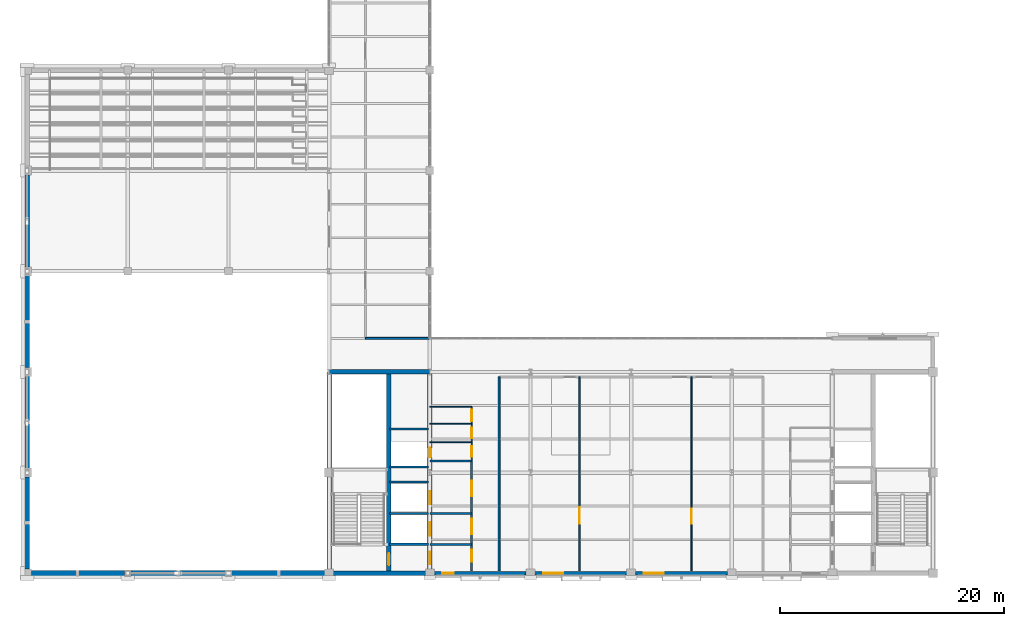
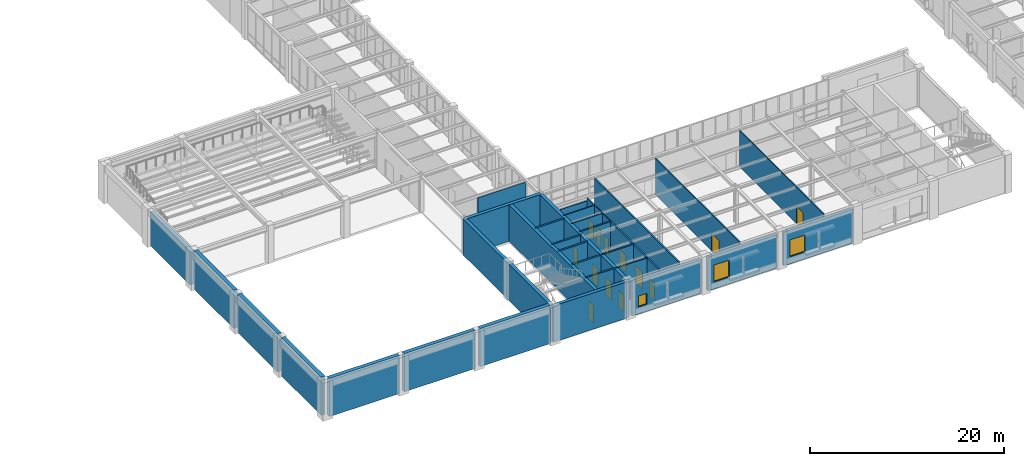
# One storey, part 79 of 98: 32 walls, 13 doors, 3 windows, 16 openings.
"""IFC4 building model written with IfcOpenShell, lengths in metres."""

from ifc_helpers import new_model, si_unit, direction, frame, frame_2d, origin, place, context, subcontext, project, spatial, rectangle, extrude, material, layer, layer_set, type_object, element, fill, save


model = new_model("IFC4")

# Units and contexts
model_context = context("Model", 3, precision=1e-05, world=origin(), true_north=direction((0.0, 1.0)))
body_context = subcontext(model_context, "Body", "Model", "MODEL_VIEW")
ifc_project = project(units=[si_unit("LENGTHUNIT", "METRE"), si_unit("AREAUNIT", "SQUARE_METRE"), si_unit("VOLUMEUNIT", "CUBIC_METRE"), si_unit("PLANEANGLEUNIT", "RADIAN"), si_unit("MASSUNIT", "GRAM", prefix="KILO")], contexts=[model_context])

# Site, building, storey
site_placement = place(None, origin())
site = spatial("IfcSite", under=ifc_project, at=site_placement, CompositionType="ELEMENT")
building_placement = place(site_placement, origin())
building = spatial("IfcBuilding", under=site, at=building_placement, Name="Lykobir Media Centre", CompositionType="ELEMENT")
storey_placement = place(building_placement, frame((0.0, 0.0, 10.199951171875)))
storey = spatial("IfcBuildingStorey", under=building, at=storey_placement, Name="L02", CompositionType="ELEMENT", Elevation=10.199951171875)

# Walls
ifc_material_1 = material(Name="Concrete C35/45", Category="concrete")
ifc_layer_1 = layer(ifc_material_1, 0.4599609375, Name="Concrete C35/45")
ifc_layer_set_1 = layer_set([ifc_layer_1], Name="Concrete C35/45")
wall_type_1 = type_object("IfcWallType", Name="EW-ACO-460", PredefinedType="STANDARD", material=ifc_layer_set_1)
wall_1_placement = place(storey_placement, frame((0.0, 35.614990234375, 0.0), z_axis=(0.0, 0.0, 1.0), x_axis=(0.0, -1.0, 0.0)))
element("IfcWall", 1, at=wall_1_placement, inside=storey, type_object=wall_type_1, Name="Exterior wall WALL-L02-0187", PredefinedType="STANDARD", context=body_context, shape_type="SweptSolid", body=[
    extrude(rectangle(XDim=8.22998046875, YDim=0.4599609375, at=frame_2d((4.114990234375, 0.0))), origin(), (0.0, 0.0, 1.0), 4.235107421875),
])
for number, where, z_axis, x_axis, name in (
    (2, (0.0, 8.614990234375, 0.0), (0.0, 0.0, 1.0), (0.0, -1.0, 0.0), "Exterior wall WALL-L02-0189"),
    (3, (0.0, 17.614990234375, 0.0), (0.0, 0.0, 1.0), (0.0, -1.0, 0.0), "Exterior wall WALL-L02-0190"),
    (4, (0.0, 26.614990234375, 0.0), (0.0, 0.0, 1.0), (0.0, -1.0, 0.0), "Exterior wall WALL-L02-0191"),
):
    element("IfcWall", number, at=place(storey_placement, frame(where, z_axis=z_axis, x_axis=x_axis)), inside=storey, type_object=wall_type_1, Name=name, PredefinedType="STANDARD", context=body_context, shape_type="SweptSolid", body=[
        extrude(rectangle(XDim=8.22998046875, YDim=0.4599609375, at=frame_2d((4.114990234375, 0.0))), origin(), (0.0, 0.0, 1.0), 4.800048828125),
    ])
wall_2_placement = place(storey_placement, frame((0.385009765625, 0.0, 0.0), z_axis=(0.0, 0.0, 1.0), x_axis=(1.0, 0.0, 0.0)))
element("IfcWall", 5, at=wall_2_placement, inside=storey, type_object=wall_type_1, Name="Exterior wall WALL-L02-0192", PredefinedType="STANDARD", context=body_context, shape_type="SweptSolid", body=[
    extrude(rectangle(XDim=8.330078125, YDim=0.4599609375, at=frame_2d((4.1650390625, 0.0))), origin(), (0.0, 0.0, 1.0), 4.800048828125),
])
wall_3_placement = place(storey_placement, frame((9.284912109375, 0.0, 0.0), z_axis=(0.0, 0.0, 1.0), x_axis=(1.0, 0.0, 0.0)))
element("IfcWall", 6, at=wall_3_placement, inside=storey, type_object=wall_type_1, Name="Exterior wall WALL-L02-0193", PredefinedType="STANDARD", context=body_context, shape_type="SweptSolid", body=[
    extrude(rectangle(XDim=8.43017578125, YDim=0.4599609375, at=frame_2d((4.215087890625, 0.0))), origin(), (0.0, 0.0, 1.0), 4.800048828125),
])
wall_4_placement = place(storey_placement, frame((18.284912109375, 0.0, 0.0), z_axis=(0.0, 0.0, 1.0), x_axis=(1.0, 0.0, 0.0)))
element("IfcWall", 7, at=wall_4_placement, inside=storey, type_object=wall_type_1, Name="Exterior wall WALL-L02-0194", PredefinedType="STANDARD", context=body_context, shape_type="SweptSolid", body=[
    extrude(rectangle(XDim=8.330078125, YDim=0.4599609375, at=frame_2d((4.1650390625, 0.0))), origin(), (0.0, 0.0, 1.0), 4.800048828125),
])

# Wall, opening, window
ifc_material_2 = material(Name="Architectural Ochre Brick", Category="masonry")
ifc_layer_2 = layer(ifc_material_2, 0.330078125, Name="Architectural Ochre Brick")
ifc_layer_set_2 = layer_set([ifc_layer_2], Name="Architectural Ochre Brick")
wall_type_2 = type_object("IfcWallType", Name="EW-BRK-330", PredefinedType="STANDARD", material=ifc_layer_set_2)
wall_5_placement = place(storey_placement, frame((36.385009765625, 0.0, 0.0), z_axis=(0.0, 0.0, 1.0), x_axis=(1.0, 0.0, 0.0)))
wall_5 = element("IfcWall", 8, at=wall_5_placement, inside=storey, type_object=wall_type_2, Name="Exterior wall WALL-L02-0173", PredefinedType="STANDARD", context=body_context, shape_type="SweptSolid", body=[
    extrude(rectangle(XDim=8.22998046875, YDim=0.330078125, at=frame_2d((4.114990234375, 0.0))), origin(), (0.0, 0.0, 1.0), 4.235107421875),
])
opening_1_placement = place(wall_5_placement, frame((0.75, 0.0, 0.89990234375)))
opening_1 = element("IfcOpeningElement", 9, at=opening_1_placement, cuts=wall_5, Name="Opening WN-1000x1350", PredefinedType="OPENING", context=body_context, shape_type="SweptSolid", body=[
    extrude(rectangle(XDim=1.0, YDim=1.35009765625, at=frame_2d((0.5, 0.675048828125))), frame((0.0, 0.175048828125, 0.0), z_axis=(0.0, -1.0, 0.0), x_axis=(1.0, 0.0, 0.0)), (0.0, 0.0, 1.0), 0.35009765625),
])
ifc_material_3 = material(Name="Low-E Laminated Triple Glazing", Category="glass")
window_type_1 = type_object("IfcWindowType", Name="WN-1000x1350", PartitioningType="SINGLE_PANEL", PredefinedType="WINDOW", material=ifc_material_3)
window_1_placement = place(opening_1_placement, origin())
window_1 = element("IfcWindow", 10, at=window_1_placement, inside=storey, type_object=window_type_1, Name="Window WIN-L02-0048", OverallHeight=1.35009765625, OverallWidth=1.0, PartitioningType="SINGLE_PANEL", PredefinedType="WINDOW", context=body_context, shape_type="SweptSolid", body=[
    extrude(rectangle(XDim=1.0, YDim=1.35009765625, at=frame_2d((0.5, 0.675048828125))), frame((0.0, 0.030029296875, 0.0), z_axis=(0.0, -1.0, 0.0), x_axis=(1.0, 0.0, 0.0)), (0.0, 0.0, 1.0), 0.06005859375),
])
fill(opening_1, window_1)

wall_6_placement = place(storey_placement, frame((45.385009765625, 0.0, 0.0), z_axis=(0.0, 0.0, 1.0), x_axis=(1.0, 0.0, 0.0)))
wall_6 = element("IfcWall", 11, at=wall_6_placement, inside=storey, type_object=wall_type_2, Name="Exterior wall WALL-L02-0174", PredefinedType="STANDARD", context=body_context, shape_type="SweptSolid", body=[
    extrude(rectangle(XDim=8.22998046875, YDim=0.330078125, at=frame_2d((4.114990234375, 0.0))), origin(), (0.0, 0.0, 1.0), 4.235107421875),
])
opening_2_placement = place(wall_6_placement, frame((0.75, 0.0, 0.89990234375)))
opening_2 = element("IfcOpeningElement", 12, at=opening_2_placement, cuts=wall_6, Name="Opening WN-1800x2100", PredefinedType="OPENING", context=body_context, shape_type="SweptSolid", body=[
    extrude(rectangle(XDim=1.800048828125, YDim=2.10009765625, at=frame_2d((0.89990234375, 1.050048828125))), frame((0.0, 0.175048828125, 0.0), z_axis=(0.0, -1.0, 0.0), x_axis=(1.0, 0.0, 0.0)), (0.0, 0.0, 1.0), 0.35009765625),
])
window_type_2 = type_object("IfcWindowType", Name="WN-1800x2100", PartitioningType="SINGLE_PANEL", PredefinedType="WINDOW", material=ifc_material_3)
window_2_placement = place(opening_2_placement, origin())
window_2 = element("IfcWindow", 13, at=window_2_placement, inside=storey, type_object=window_type_2, Name="Window WIN-L02-0049", OverallHeight=2.10009765625, OverallWidth=1.800048828125, PartitioningType="SINGLE_PANEL", PredefinedType="WINDOW", context=body_context, shape_type="SweptSolid", body=[
    extrude(rectangle(XDim=1.800048828125, YDim=2.10009765625, at=frame_2d((0.89990234375, 1.050048828125))), frame((0.0, 0.030029296875, 0.0), z_axis=(0.0, -1.0, 0.0), x_axis=(1.0, 0.0, 0.0)), (0.0, 0.0, 1.0), 0.06005859375),
])
fill(opening_2, window_2)

wall_7_placement = place(storey_placement, frame((54.385009765625, 0.0, 0.0), z_axis=(0.0, 0.0, 1.0), x_axis=(1.0, 0.0, 0.0)))
wall_7 = element("IfcWall", 14, at=wall_7_placement, inside=storey, type_object=wall_type_2, Name="Exterior wall WALL-L02-0175", PredefinedType="STANDARD", context=body_context, shape_type="SweptSolid", body=[
    extrude(rectangle(XDim=8.22998046875, YDim=0.330078125, at=frame_2d((4.114990234375, 0.0))), origin(), (0.0, 0.0, 1.0), 4.235107421875),
])
opening_3_placement = place(wall_7_placement, frame((0.75, 0.0, 0.89990234375)))
opening_3 = element("IfcOpeningElement", 15, at=opening_3_placement, cuts=wall_7, Name="Opening WN-1800x2100", PredefinedType="OPENING", context=body_context, shape_type="SweptSolid", body=[
    extrude(rectangle(XDim=1.800048828125, YDim=2.10009765625, at=frame_2d((0.89990234375, 1.050048828125))), frame((0.0, 0.175048828125, 0.0), z_axis=(0.0, -1.0, 0.0), x_axis=(1.0, 0.0, 0.0)), (0.0, 0.0, 1.0), 0.35009765625),
])
window_3_placement = place(opening_3_placement, origin())
window_3 = element("IfcWindow", 16, at=window_3_placement, inside=storey, type_object=window_type_2, Name="Window WIN-L02-0050", OverallHeight=2.10009765625, OverallWidth=1.800048828125, PartitioningType="SINGLE_PANEL", PredefinedType="WINDOW", context=body_context, shape_type="SweptSolid", body=[
    extrude(rectangle(XDim=1.800048828125, YDim=2.10009765625, at=frame_2d((0.89990234375, 1.050048828125))), frame((0.0, 0.030029296875, 0.0), z_axis=(0.0, -1.0, 0.0), x_axis=(1.0, 0.0, 0.0)), (0.0, 0.0, 1.0), 0.06005859375),
])
fill(opening_3, window_3)

# Walls
ifc_material_4 = material(Name="Acoustic Gypsum Board", Category="gypsum")
ifc_layer_3 = layer(ifc_material_4, 0.159912109375, Name="Acoustic Gypsum Board")
ifc_layer_set_3 = layer_set([ifc_layer_3], Name="Acoustic Gypsum Board")
wall_type_3 = type_object("IfcWallType", Name="IW-COR-160", PredefinedType="PARTITIONING", material=ifc_layer_set_3)
wall_8_placement = place(storey_placement, frame((42.199951171875, 0.219970703125, 0.0), z_axis=(0.0, 0.0, 1.0), x_axis=(0.0, 1.0, 0.0)))
element("IfcWall", 17, at=wall_8_placement, inside=storey, type_object=wall_type_3, Name="Wall IWALL-L02-0697", PredefinedType="PARTITIONING", context=body_context, shape_type="SweptSolid", body=[
    extrude(rectangle(XDim=17.330078125, YDim=0.159912109375, at=frame_2d((8.6650390625, 0.0))), origin(), (0.0, 0.0, 1.0), 4.56005859375),
])
wall_9_placement = place(storey_placement, frame((30.25, 21.0, 0.0), z_axis=(0.0, 0.0, 1.0), x_axis=(1.0, 0.0, 0.0)))
element("IfcWall", 18, at=wall_9_placement, inside=storey, type_object=wall_type_3, Name="Wall IWALL-L02-0702", PredefinedType="PARTITIONING", context=body_context, shape_type="SweptSolid", body=[
    extrude(rectangle(XDim=5.72998046875, YDim=0.159912109375, at=frame_2d((2.864990234375, 0.0))), origin(), (0.0, 0.0, 1.0), 4.215087890625),
])

# Wall, openings, doors
ifc_layer_4 = layer(ifc_material_4, 0.179931640625, Name="Acoustic Gypsum Board")
ifc_layer_set_4 = layer_set([ifc_layer_4], Name="Acoustic Gypsum Board")
wall_type_4 = type_object("IfcWallType", Name="IW-FFLOB-180", PredefinedType="PARTITIONING", material=ifc_layer_set_4)
wall_10_placement = place(storey_placement, frame((39.75, 0.219970703125, 0.0), z_axis=(0.0, 0.0, 1.0), x_axis=(0.0, 1.0, 0.0)))
wall_10 = element("IfcWall", 19, at=wall_10_placement, inside=storey, type_object=wall_type_4, Name="Wall IWALL-L02-0065", PredefinedType="PARTITIONING", context=body_context, shape_type="SweptSolid", body=[
    extrude(rectangle(XDim=9.830078125, YDim=0.179931640625, at=frame_2d((4.9150390625, 0.0))), origin(), (0.0, 0.0, 1.0), 4.56005859375),
])
opening_4_placement = place(wall_10_placement, frame((0.800048828125, 0.0, 0.0)))
opening_4 = element("IfcOpeningElement", 20, at=opening_4_placement, cuts=wall_10, Name="Opening D-L02-C1LV", PredefinedType="OPENING", context=body_context, shape_type="SweptSolid", body=[
    extrude(rectangle(XDim=1.10009765625, YDim=2.159912109375, at=frame_2d((0.550048828125, 1.080078125))), frame((0.0, 0.099853515625, 0.0), z_axis=(0.0, -1.0, 0.0), x_axis=(1.0, 0.0, 0.0)), (0.0, 0.0, 1.0), 0.199951171875),
])
opening_5_placement = place(wall_10_placement, frame((3.25, 0.0, 0.0)))
opening_5 = element("IfcOpeningElement", 21, at=opening_5_placement, cuts=wall_10, Name="Opening D-L02-C1PL", PredefinedType="OPENING", context=body_context, shape_type="SweptSolid", body=[
    extrude(rectangle(XDim=1.39990234375, YDim=2.199951171875, at=frame_2d((0.699951171875, 1.10009765625))), frame((0.0, 0.099853515625, 0.0), z_axis=(0.0, -1.0, 0.0), x_axis=(1.0, 0.0, 0.0)), (0.0, 0.0, 1.0), 0.199951171875),
])
opening_6_placement = place(wall_10_placement, frame((6.64990234375, 0.0, 0.0)))
opening_6 = element("IfcOpeningElement", 22, at=opening_6_placement, cuts=wall_10, Name="Opening D-L02-C1FF", PredefinedType="OPENING", context=body_context, shape_type="SweptSolid", body=[
    extrude(rectangle(XDim=1.39990234375, YDim=2.199951171875, at=frame_2d((0.699951171875, 1.10009765625))), frame((0.0, 0.099853515625, 0.0), z_axis=(0.0, -1.0, 0.0), x_axis=(1.0, 0.0, 0.0)), (0.0, 0.0, 1.0), 0.199951171875),
])
ifc_material_5 = material(Name="Acoustic Timber Panelling", Category="wood")
door_type_1 = type_object("IfcDoorType", Name="FD-1100x2160", OperationType="NOTDEFINED", PredefinedType="DOOR", material=ifc_material_5)
door_1_placement = place(opening_4_placement, origin())
door_1 = element("IfcDoor", 23, at=door_1_placement, inside=storey, type_object=door_type_1, Name="Door D-L02-C1LV", OperationType="SINGLE_SWING_LEFT", OverallHeight=2.159912109375, OverallWidth=1.10009765625, PredefinedType="DOOR", context=body_context, shape_type="SweptSolid", body=[
    extrude(rectangle(XDim=1.10009765625, YDim=2.159912109375, at=frame_2d((0.550048828125, 1.080078125))), frame((0.0, 0.02490234375, 0.0), z_axis=(0.0, -1.0, 0.0), x_axis=(1.0, 0.0, 0.0)), (0.0, 0.0, 1.0), 0.050048828125),
])
fill(opening_4, door_1)
door_type_2 = type_object("IfcDoorType", Name="FD-1400x2200", OperationType="NOTDEFINED", PredefinedType="DOOR", material=ifc_material_5)
door_2_placement = place(opening_5_placement, origin())
door_2 = element("IfcDoor", 24, at=door_2_placement, inside=storey, type_object=door_type_2, Name="Door D-L02-C1PL", OperationType="DOUBLE_DOOR_SINGLE_SWING", OverallHeight=2.199951171875, OverallWidth=1.39990234375, PredefinedType="DOOR", context=body_context, shape_type="SweptSolid", body=[
    extrude(rectangle(XDim=1.39990234375, YDim=2.199951171875, at=frame_2d((0.699951171875, 1.10009765625))), frame((0.0, 0.02490234375, 0.0), z_axis=(0.0, -1.0, 0.0), x_axis=(1.0, 0.0, 0.0)), (0.0, 0.0, 1.0), 0.050048828125),
])
fill(opening_5, door_2)
door_3_placement = place(opening_6_placement, origin())
door_3 = element("IfcDoor", 25, at=door_3_placement, inside=storey, type_object=door_type_2, Name="Door D-L02-C1FF", OperationType="DOUBLE_DOOR_SINGLE_SWING", OverallHeight=2.199951171875, OverallWidth=1.39990234375, PredefinedType="DOOR", context=body_context, shape_type="SweptSolid", body=[
    extrude(rectangle(XDim=1.39990234375, YDim=2.199951171875, at=frame_2d((0.699951171875, 1.10009765625))), frame((0.0, 0.02490234375, 0.0), z_axis=(0.0, -1.0, 0.0), x_axis=(1.0, 0.0, 0.0)), (0.0, 0.0, 1.0), 0.050048828125),
])
fill(opening_6, door_3)

# Walls
for number, where, z_axis, x_axis, name in (
    (26, (36.0, 2.550048828125, 0.0), (0.0, 0.0, 1.0), (1.0, 0.0, 0.0), "Wall IWALL-L02-0066"),
    (27, (36.0, 5.35009765625, 0.0), (0.0, 0.0, 1.0), (1.0, 0.0, 0.0), "Wall IWALL-L02-0067"),
    (28, (36.0, 10.050048828125, 0.0), (0.0, 0.0, 1.0), (1.0, 0.0, 0.0), "Wall IWALL-L02-0068"),
):
    element("IfcWall", number, at=place(storey_placement, frame(where, z_axis=z_axis, x_axis=x_axis)), inside=storey, type_object=wall_type_4, Name=name, PredefinedType="PARTITIONING", context=body_context, shape_type="SweptSolid", body=[
        extrude(rectangle(XDim=3.75, YDim=0.179931640625, at=frame_2d((1.875, 0.0))), origin(), (0.0, 0.0, 1.0), 4.56005859375),
    ])

# Wall, opening, door
ifc_layer_5 = layer(ifc_material_4, 0.110107421875, Name="Acoustic Gypsum Board")
ifc_layer_set_5 = layer_set([ifc_layer_5], Name="Acoustic Gypsum Board")
wall_type_5 = type_object("IfcWallType", Name="IW-RM-110", PredefinedType="PARTITIONING", material=ifc_layer_set_5)
wall_11_placement = place(storey_placement, frame((59.39990234375, 0.219970703125, 0.0), z_axis=(0.0, 0.0, 1.0), x_axis=(0.0, 1.0, 0.0)))
wall_11 = element("IfcWall", 29, at=wall_11_placement, inside=storey, type_object=wall_type_5, Name="Wall IWALL-L02-0700", PredefinedType="PARTITIONING", context=body_context, shape_type="SweptSolid", body=[
    extrude(rectangle(XDim=17.330078125, YDim=0.110107421875, at=frame_2d((8.6650390625, 0.0))), origin(), (0.0, 0.0, 1.0), 4.56005859375),
])
opening_7_placement = place(wall_11_placement, frame((4.199951171875, 0.0, 0.0)))
opening_7 = element("IfcOpeningElement", 30, at=opening_7_placement, cuts=wall_11, Name="Opening D-L02-V7S2", PredefinedType="OPENING", context=body_context, shape_type="SweptSolid", body=[
    extrude(rectangle(XDim=1.35009765625, YDim=2.179931640625, at=frame_2d((0.675048828125, 1.08984375))), frame((0.0, 0.06494140625, 0.0), z_axis=(0.0, -1.0, 0.0), x_axis=(1.0, 0.0, 0.0)), (0.0, 0.0, 1.0), 0.130126953125),
])
door_type_3 = type_object("IfcDoorType", Name="ID-1350x2180", OperationType="NOTDEFINED", PredefinedType="DOOR", material=ifc_material_5)
door_4_placement = place(opening_7_placement, origin())
door_4 = element("IfcDoor", 31, at=door_4_placement, inside=storey, type_object=door_type_3, Name="Door D-L02-V7S2", OperationType="SINGLE_SWING_LEFT", OverallHeight=2.179931640625, OverallWidth=1.35009765625, PredefinedType="DOOR", context=body_context, shape_type="SweptSolid", body=[
    extrude(rectangle(XDim=1.35009765625, YDim=2.179931640625, at=frame_2d((0.675048828125, 1.08984375))), frame((0.0, 0.02490234375, 0.0), z_axis=(0.0, -1.0, 0.0), x_axis=(1.0, 0.0, 0.0)), (0.0, 0.0, 1.0), 0.050048828125),
])
fill(opening_7, door_4)

ifc_layer_6 = layer(ifc_material_4, 0.125, Name="Acoustic Gypsum Board")
ifc_layer_set_6 = layer_set([ifc_layer_6], Name="Acoustic Gypsum Board")
wall_type_6 = type_object("IfcWallType", Name="IW-RM-125", PredefinedType="PARTITIONING", material=ifc_layer_set_6)
wall_12_placement = place(storey_placement, frame((49.39990234375, 0.219970703125, 0.0), z_axis=(0.0, 0.0, 1.0), x_axis=(0.0, 1.0, 0.0)))
wall_12 = element("IfcWall", 32, at=wall_12_placement, inside=storey, type_object=wall_type_6, Name="Wall IWALL-L02-0699", PredefinedType="PARTITIONING", context=body_context, shape_type="SweptSolid", body=[
    extrude(rectangle(XDim=17.330078125, YDim=0.125, at=frame_2d((8.6650390625, 0.0))), origin(), (0.0, 0.0, 1.0), 4.56005859375),
])
opening_8_placement = place(wall_12_placement, frame((4.199951171875, 0.0, 0.0)))
opening_8 = element("IfcOpeningElement", 33, at=opening_8_placement, cuts=wall_12, Name="Opening D-L02-V7S1", PredefinedType="OPENING", context=body_context, shape_type="SweptSolid", body=[
    extrude(rectangle(XDim=1.5, YDim=2.199951171875, at=frame_2d((0.75, 1.10009765625))), frame((0.0, 0.072509765625, 0.0), z_axis=(0.0, -1.0, 0.0), x_axis=(1.0, 0.0, 0.0)), (0.0, 0.0, 1.0), 0.14501953125),
])
door_type_4 = type_object("IfcDoorType", Name="ID-1500x2200", OperationType="NOTDEFINED", PredefinedType="DOOR", material=ifc_material_5)
door_5_placement = place(opening_8_placement, origin())
door_5 = element("IfcDoor", 34, at=door_5_placement, inside=storey, type_object=door_type_4, Name="Door D-L02-V7S1", OperationType="SINGLE_SWING_LEFT", OverallHeight=2.199951171875, OverallWidth=1.5, PredefinedType="DOOR", context=body_context, shape_type="SweptSolid", body=[
    extrude(rectangle(XDim=1.5, YDim=2.199951171875, at=frame_2d((0.75, 1.10009765625))), frame((0.0, 0.02490234375, 0.0), z_axis=(0.0, -1.0, 0.0), x_axis=(1.0, 0.0, 0.0)), (0.0, 0.0, 1.0), 0.050048828125),
])
fill(opening_8, door_5)

# Walls
ifc_material_6 = material(Name="Concrete C30/37", Category="concrete")
ifc_layer_7 = layer(ifc_material_6, 0.199951171875, Name="Concrete C30/37")
ifc_layer_set_7 = layer_set([ifc_layer_7], Name="Concrete C30/37")
wall_type_7 = type_object("IfcWallType", Name="IW-SHAFT-200", PredefinedType="PARTITIONING", material=ifc_layer_set_7)
for number, where, z_axis, x_axis, name in (
    (35, (32.39990234375, 2.60009765625, 0.0), (0.0, 0.0, 1.0), (1.0, 0.0, 0.0), "Wall IWALL-L02-0060"),
    (36, (32.39990234375, 5.35009765625, 0.0), (0.0, 0.0, 1.0), (1.0, 0.0, 0.0), "Wall IWALL-L02-0061"),
    (37, (32.39990234375, 8.14990234375, 0.0), (0.0, 0.0, 1.0), (1.0, 0.0, 0.0), "Wall IWALL-L02-0062"),
    (38, (32.39990234375, 9.5, 0.0), (0.0, 0.0, 1.0), (1.0, 0.0, 0.0), "Wall IWALL-L02-0063"),
    (39, (32.39990234375, 12.89990234375, 0.0), (0.0, 0.0, 1.0), (1.0, 0.0, 0.0), "Wall IWALL-L02-0064"),
):
    element("IfcWall", number, at=place(storey_placement, frame(where, z_axis=z_axis, x_axis=x_axis)), inside=storey, type_object=wall_type_7, Name=name, PredefinedType="PARTITIONING", context=body_context, shape_type="SweptSolid", body=[
        extrude(rectangle(XDim=3.5, YDim=0.199951171875, at=frame_2d((1.75, 0.0))), origin(), (0.0, 0.0, 1.0), 4.56005859375),
    ])

# Wall, openings, doors
ifc_layer_8 = layer(ifc_material_4, 0.094970703125, Name="Acoustic Gypsum Board")
ifc_layer_set_8 = layer_set([ifc_layer_8], Name="Acoustic Gypsum Board")
wall_type_8 = type_object("IfcWallType", Name="IW-WC-095", PredefinedType="PARTITIONING", material=ifc_layer_set_8)
wall_13_placement = place(storey_placement, frame((39.75, 10.050048828125, 0.0), z_axis=(0.0, 0.0, 1.0), x_axis=(0.0, 1.0, 0.0)))
wall_13 = element("IfcWall", 40, at=wall_13_placement, inside=storey, type_object=wall_type_8, Name="Wall IWALL-L02-0069", PredefinedType="PARTITIONING", context=body_context, shape_type="SweptSolid", body=[
    extrude(rectangle(XDim=4.849853515625, YDim=0.094970703125, at=frame_2d((2.4248046875, 0.0))), origin(), (0.0, 0.0, 1.0), 4.56005859375),
])
opening_9_placement = place(wall_13_placement, frame((0.3798828125, 0.0, 0.0)))
opening_9 = element("IfcOpeningElement", 41, at=opening_9_placement, cuts=wall_13, Name="Opening D-L02-WCM", PredefinedType="OPENING", context=body_context, shape_type="SweptSolid", body=[
    extrude(rectangle(XDim=0.919921875, YDim=2.10009765625, at=frame_2d((0.4599609375, 1.050048828125))), frame((0.0, 0.057373046875, 0.0), z_axis=(0.0, -1.0, 0.0), x_axis=(1.0, 0.0, 0.0)), (0.0, 0.0, 1.0), 0.114990234375),
])
opening_10_placement = place(wall_13_placement, frame((2.02001953125, 0.0, 0.0)))
opening_10 = element("IfcOpeningElement", 42, at=opening_10_placement, cuts=wall_13, Name="Opening D-L02-WCF", PredefinedType="OPENING", context=body_context, shape_type="SweptSolid", body=[
    extrude(rectangle(XDim=0.919921875, YDim=2.10009765625, at=frame_2d((0.4599609375, 1.050048828125))), frame((0.0, 0.057373046875, 0.0), z_axis=(0.0, -1.0, 0.0), x_axis=(1.0, 0.0, 0.0)), (0.0, 0.0, 1.0), 0.114990234375),
])
opening_11_placement = place(wall_13_placement, frame((3.52001953125, 0.0, 0.0)))
opening_11 = element("IfcOpeningElement", 43, at=opening_11_placement, cuts=wall_13, Name="Opening D-L02-WCA1", PredefinedType="OPENING", context=body_context, shape_type="SweptSolid", body=[
    extrude(rectangle(XDim=1.050048828125, YDim=2.1298828125, at=frame_2d((0.52490234375, 1.06494140625))), frame((0.0, 0.057373046875, 0.0), z_axis=(0.0, -1.0, 0.0), x_axis=(1.0, 0.0, 0.0)), (0.0, 0.0, 1.0), 0.114990234375),
])
door_type_5 = type_object("IfcDoorType", Name="ID-0920x2100", OperationType="NOTDEFINED", PredefinedType="DOOR", material=ifc_material_5)
door_6_placement = place(opening_9_placement, origin())
door_6 = element("IfcDoor", 44, at=door_6_placement, inside=storey, type_object=door_type_5, Name="Door D-L02-WCM", OperationType="SINGLE_SWING_RIGHT", OverallHeight=2.10009765625, OverallWidth=0.919921875, PredefinedType="DOOR", context=body_context, shape_type="SweptSolid", body=[
    extrude(rectangle(XDim=0.919921875, YDim=2.10009765625, at=frame_2d((0.4599609375, 1.050048828125))), frame((0.0, 0.02490234375, 0.0), z_axis=(0.0, -1.0, 0.0), x_axis=(1.0, 0.0, 0.0)), (0.0, 0.0, 1.0), 0.050048828125),
])
fill(opening_9, door_6)
door_7_placement = place(opening_10_placement, origin())
door_7 = element("IfcDoor", 45, at=door_7_placement, inside=storey, type_object=door_type_5, Name="Door D-L02-WCF", OperationType="SINGLE_SWING_LEFT", OverallHeight=2.10009765625, OverallWidth=0.919921875, PredefinedType="DOOR", context=body_context, shape_type="SweptSolid", body=[
    extrude(rectangle(XDim=0.919921875, YDim=2.10009765625, at=frame_2d((0.4599609375, 1.050048828125))), frame((0.0, 0.02490234375, 0.0), z_axis=(0.0, -1.0, 0.0), x_axis=(1.0, 0.0, 0.0)), (0.0, 0.0, 1.0), 0.050048828125),
])
fill(opening_10, door_7)
door_type_6 = type_object("IfcDoorType", Name="ID-1050x2130", OperationType="NOTDEFINED", PredefinedType="DOOR", material=ifc_material_5)
door_8_placement = place(opening_11_placement, origin())
door_8 = element("IfcDoor", 46, at=door_8_placement, inside=storey, type_object=door_type_6, Name="Door D-L02-WCA1", OperationType="SINGLE_SWING_RIGHT", OverallHeight=2.1298828125, OverallWidth=1.050048828125, PredefinedType="DOOR", context=body_context, shape_type="SweptSolid", body=[
    extrude(rectangle(XDim=1.050048828125, YDim=2.1298828125, at=frame_2d((0.52490234375, 1.06494140625))), frame((0.0, 0.02490234375, 0.0), z_axis=(0.0, -1.0, 0.0), x_axis=(1.0, 0.0, 0.0)), (0.0, 0.0, 1.0), 0.050048828125),
])
fill(opening_11, door_8)

# Walls
for number, where, z_axis, x_axis, name in (
    (47, (36.0, 11.719970703125, 0.0), (0.0, 0.0, 1.0), (1.0, 0.0, 0.0), "Wall IWALL-L02-0070"),
    (48, (36.0, 13.3798828125, 0.0), (0.0, 0.0, 1.0), (1.0, 0.0, 0.0), "Wall IWALL-L02-0071"),
):
    element("IfcWall", number, at=place(storey_placement, frame(where, z_axis=z_axis, x_axis=x_axis)), inside=storey, type_object=wall_type_8, Name=name, PredefinedType="PARTITIONING", context=body_context, shape_type="SweptSolid", body=[
        extrude(rectangle(XDim=3.75, YDim=0.094970703125, at=frame_2d((1.875, 0.0))), origin(), (0.0, 0.0, 1.0), 4.56005859375),
    ])
wall_14_placement = place(storey_placement, frame((36.0, 14.89990234375, 0.0), z_axis=(0.0, 0.0, 1.0), x_axis=(1.0, 0.0, 0.0)))
element("IfcWall", 49, at=wall_14_placement, inside=storey, type_object=wall_type_8, Name="Wall IWALL-L02-0072", PredefinedType="PARTITIONING", context=body_context, shape_type="SweptSolid", body=[
    extrude(rectangle(XDim=3.75, YDim=0.094970703125, at=frame_2d((1.875, 0.0))), origin(), (0.0, 0.0, 1.0), 4.215087890625),
])

# Wall, openings, doors
ifc_material_7 = material(Name="Concrete C40/50", Category="concrete")
ifc_layer_9 = layer(ifc_material_7, 0.39990234375, Name="Concrete C40/50")
ifc_layer_set_9 = layer_set([ifc_layer_9], Name="Concrete C40/50")
wall_type_9 = type_object("IfcWallType", Name="SW-CORE-400", PredefinedType="SHEAR", material=ifc_layer_set_9)
wall_15_placement = place(storey_placement, frame((36.0, 0.0, 0.0), z_axis=(0.0, 0.0, 1.0), x_axis=(0.0, 1.0, 0.0)))
wall_15 = element("IfcWall", 50, at=wall_15_placement, inside=storey, type_object=wall_type_9, Name="Wall IWALL-L02-0056", PredefinedType="SHEAR", context=body_context, shape_type="SweptSolid", body=[
    extrude(rectangle(XDim=18.0, YDim=0.39990234375, at=frame_2d((9.0, 0.0))), origin(), (0.0, 0.0, 1.0), 4.56005859375),
])
opening_12_placement = place(wall_15_placement, frame((0.800048828125, 0.0, 0.0)))
opening_12 = element("IfcOpeningElement", 51, at=opening_12_placement, cuts=wall_15, Name="Opening D-L02-C1VB", PredefinedType="OPENING", context=body_context, shape_type="SweptSolid", body=[
    extrude(rectangle(XDim=1.10009765625, YDim=2.159912109375, at=frame_2d((0.550048828125, 1.080078125))), frame((0.0, 0.2099609375, 0.0), z_axis=(0.0, -1.0, 0.0), x_axis=(1.0, 0.0, 0.0)), (0.0, 0.0, 1.0), 0.419921875),
])
opening_13_placement = place(wall_15_placement, frame((3.35009765625, 0.0, 0.0)))
opening_13 = element("IfcOpeningElement", 52, at=opening_13_placement, cuts=wall_15, Name="Opening LD-L02-PL-1", PredefinedType="OPENING", context=body_context, shape_type="SweptSolid", body=[
    extrude(rectangle(XDim=1.199951171875, YDim=2.199951171875, at=frame_2d((0.60009765625, 1.10009765625))), frame((0.0, 0.2099609375, 0.0), z_axis=(0.0, -1.0, 0.0), x_axis=(1.0, 0.0, 0.0)), (0.0, 0.0, 1.0), 0.419921875),
])
opening_14_placement = place(wall_15_placement, frame((6.14990234375, 0.0, 0.0)))
opening_14 = element("IfcOpeningElement", 53, at=opening_14_placement, cuts=wall_15, Name="Opening LD-L02-FL-1", PredefinedType="OPENING", context=body_context, shape_type="SweptSolid", body=[
    extrude(rectangle(XDim=1.199951171875, YDim=2.199951171875, at=frame_2d((0.60009765625, 1.10009765625))), frame((0.0, 0.2099609375, 0.0), z_axis=(0.0, -1.0, 0.0), x_axis=(1.0, 0.0, 0.0)), (0.0, 0.0, 1.0), 0.419921875),
])
opening_15_placement = place(wall_15_placement, frame((10.35009765625, 0.0, 0.0)))
opening_15 = element("IfcOpeningElement", 54, at=opening_15_placement, cuts=wall_15, Name="Opening D-L02-C1RS", PredefinedType="OPENING", context=body_context, shape_type="SweptSolid", body=[
    extrude(rectangle(XDim=0.85009765625, YDim=2.10009765625, at=frame_2d((0.425048828125, 1.050048828125))), frame((0.0, 0.2099609375, 0.0), z_axis=(0.0, -1.0, 0.0), x_axis=(1.0, 0.0, 0.0)), (0.0, 0.0, 1.0), 0.419921875),
])
ifc_material_8 = material(Name="Anodized Aluminium AW-6060", Category="aluminium")
door_type_7 = type_object("IfcDoorType", Name="FD-0850x2100", OperationType="NOTDEFINED", PredefinedType="DOOR", material=ifc_material_8)
door_9_placement = place(opening_15_placement, origin())
door_9 = element("IfcDoor", 55, at=door_9_placement, inside=storey, type_object=door_type_7, Name="Riser access door C1 L02", OperationType="SINGLE_SWING_RIGHT", OverallHeight=2.10009765625, OverallWidth=0.85009765625, PredefinedType="DOOR", context=body_context, shape_type="SweptSolid", body=[
    extrude(rectangle(XDim=0.85009765625, YDim=2.10009765625, at=frame_2d((0.425048828125, 1.050048828125))), frame((0.0, 0.02490234375, 0.0), z_axis=(0.0, -1.0, 0.0), x_axis=(1.0, 0.0, 0.0)), (0.0, 0.0, 1.0), 0.050048828125),
])
fill(opening_15, door_9)
door_10_placement = place(opening_12_placement, origin())
door_10 = element("IfcDoor", 56, at=door_10_placement, inside=storey, type_object=door_type_1, Name="Door D-L02-C1VB", OperationType="SINGLE_SWING_LEFT", OverallHeight=2.159912109375, OverallWidth=1.10009765625, PredefinedType="DOOR", context=body_context, shape_type="SweptSolid", body=[
    extrude(rectangle(XDim=1.10009765625, YDim=2.159912109375, at=frame_2d((0.550048828125, 1.080078125))), frame((0.0, 0.02490234375, 0.0), z_axis=(0.0, -1.0, 0.0), x_axis=(1.0, 0.0, 0.0)), (0.0, 0.0, 1.0), 0.050048828125),
])
fill(opening_12, door_10)
door_type_8 = type_object("IfcDoorType", Name="LD-1200x2200", OperationType="NOTDEFINED", PredefinedType="DOOR", material=ifc_material_8)
door_11_placement = place(opening_13_placement, origin())
door_11 = element("IfcDoor", 57, at=door_11_placement, inside=storey, type_object=door_type_8, Name="Lift landing door PL-1 L02", OperationType="SLIDING_TO_LEFT", OverallHeight=2.199951171875, OverallWidth=1.199951171875, PredefinedType="DOOR", context=body_context, shape_type="SweptSolid", body=[
    extrude(rectangle(XDim=1.199951171875, YDim=2.199951171875, at=frame_2d((0.60009765625, 1.10009765625))), frame((0.0, 0.02490234375, 0.0), z_axis=(0.0, -1.0, 0.0), x_axis=(1.0, 0.0, 0.0)), (0.0, 0.0, 1.0), 0.050048828125),
])
fill(opening_13, door_11)
door_12_placement = place(opening_14_placement, origin())
door_12 = element("IfcDoor", 58, at=door_12_placement, inside=storey, type_object=door_type_8, Name="Firefighting lift landing door FL-1 L02", OperationType="SLIDING_TO_LEFT", OverallHeight=2.199951171875, OverallWidth=1.199951171875, PredefinedType="DOOR", context=body_context, shape_type="SweptSolid", body=[
    extrude(rectangle(XDim=1.199951171875, YDim=2.199951171875, at=frame_2d((0.60009765625, 1.10009765625))), frame((0.0, 0.02490234375, 0.0), z_axis=(0.0, -1.0, 0.0), x_axis=(1.0, 0.0, 0.0)), (0.0, 0.0, 1.0), 0.050048828125),
])
fill(opening_14, door_12)

# Wall, opening, door
wall_16_placement = place(storey_placement, frame((32.35009765625, 0.0, 0.0), z_axis=(0.0, 0.0, 1.0), x_axis=(0.0, 1.0, 0.0)))
wall_16 = element("IfcWall", 59, at=wall_16_placement, inside=storey, type_object=wall_type_9, Name="Wall IWALL-L02-0059", PredefinedType="SHEAR", context=body_context, shape_type="SweptSolid", body=[
    extrude(rectangle(XDim=18.0, YDim=0.39990234375, at=frame_2d((9.0, 0.0))), origin(), (0.0, 0.0, 1.0), 4.56005859375),
])
opening_16_placement = place(wall_16_placement, frame((0.699951171875, 0.0, 0.0)))
opening_16 = element("IfcOpeningElement", 60, at=opening_16_placement, cuts=wall_16, Name="Opening D-L02-C1ST", PredefinedType="OPENING", context=body_context, shape_type="SweptSolid", body=[
    extrude(rectangle(XDim=1.10009765625, YDim=2.159912109375, at=frame_2d((0.550048828125, 1.080078125))), frame((0.0, 0.2099609375, 0.0), z_axis=(0.0, -1.0, 0.0), x_axis=(1.0, 0.0, 0.0)), (0.0, 0.0, 1.0), 0.419921875),
])
door_13_placement = place(opening_16_placement, frame((1.10009765625, 0.0, 0.0), z_axis=(0.0, 0.0, 1.0), x_axis=(-1.0, 0.0, 0.0)))
door_13 = element("IfcDoor", 61, at=door_13_placement, inside=storey, type_object=door_type_1, Name="L02 ST-1 stairwell fire door", OperationType="SINGLE_SWING_RIGHT", OverallHeight=2.159912109375, OverallWidth=1.10009765625, PredefinedType="DOOR", context=body_context, shape_type="SweptSolid", body=[
    extrude(rectangle(XDim=1.10009765625, YDim=2.159912109375, at=frame_2d((0.550048828125, 1.080078125))), frame((0.0, 0.02490234375, 0.0), z_axis=(0.0, -1.0, 0.0), x_axis=(1.0, 0.0, 0.0)), (0.0, 0.0, 1.0), 0.050048828125),
])
fill(opening_16, door_13)

# Walls
ifc_layer_10 = layer(ifc_material_7, 0.39990234375, Name="Concrete C40/50")
ifc_layer_set_10 = layer_set([ifc_layer_10], Name="Concrete C40/50")
wall_type_10 = type_object("IfcWallType", Name="SW-CORE-400-E", PredefinedType="SHEAR", material=ifc_layer_set_10)
for number, where, z_axis, x_axis, name in (
    (62, (27.0, 0.0, 0.0), (0.0, 0.0, 1.0), (1.0, 0.0, 0.0), "Wall IWALL-L02-0055"),
    (63, (36.0, 18.0, 0.0), (0.0, 0.0, 1.0), (-1.0, 0.0, 0.0), "Wall IWALL-L02-0057"),
):
    element("IfcWall", number, at=place(storey_placement, frame(where, z_axis=z_axis, x_axis=x_axis)), inside=storey, type_object=wall_type_10, Name=name, PredefinedType="SHEAR", context=body_context, shape_type="SweptSolid", body=[
        extrude(rectangle(XDim=9.0, YDim=0.39990234375, at=frame_2d((4.5, 0.0))), origin(), (0.0, 0.0, 1.0), 4.56005859375),
    ])
wall_17_placement = place(storey_placement, frame((27.0, 18.0, 0.0), z_axis=(0.0, 0.0, 1.0), x_axis=(0.0, -1.0, 0.0)))
element("IfcWall", 64, at=wall_17_placement, inside=storey, type_object=wall_type_10, Name="Wall IWALL-L02-0058", PredefinedType="SHEAR", context=body_context, shape_type="SweptSolid", body=[
    extrude(rectangle(XDim=18.0, YDim=0.39990234375, at=frame_2d((9.0, 0.0))), origin(), (0.0, 0.0, 1.0), 4.56005859375),
])

save(model, "model.ifc")
